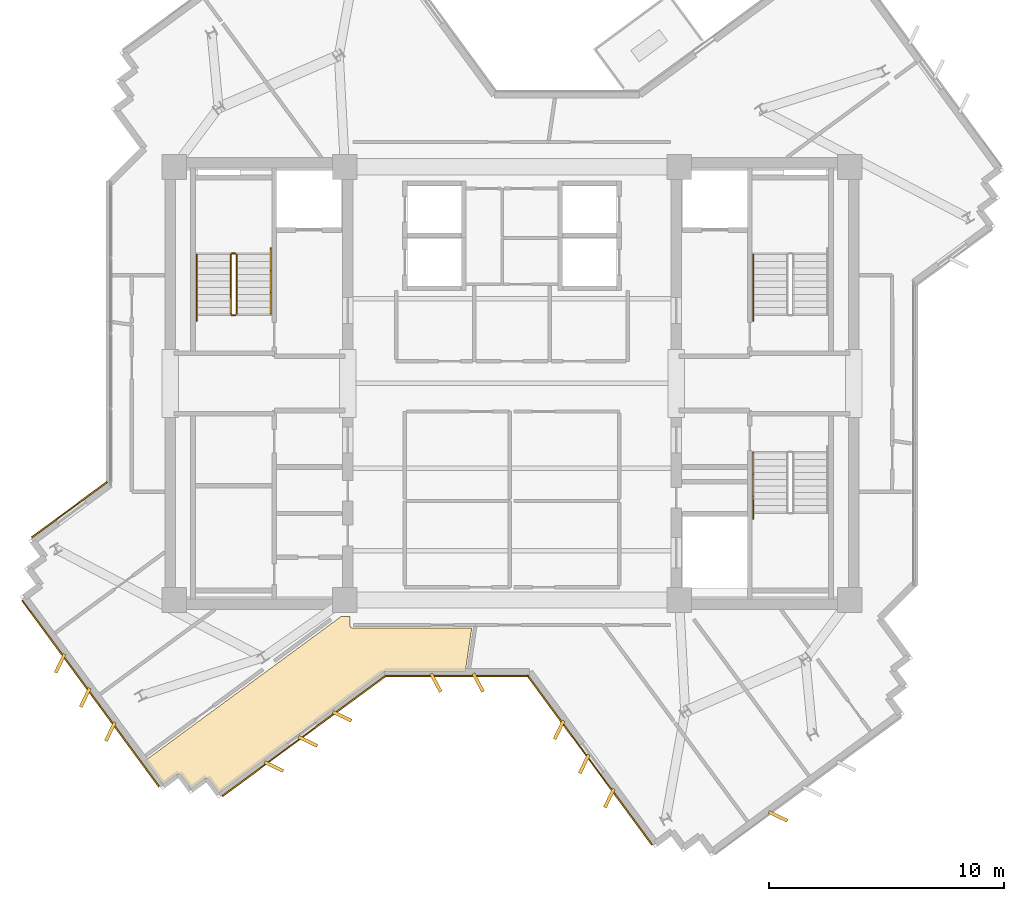
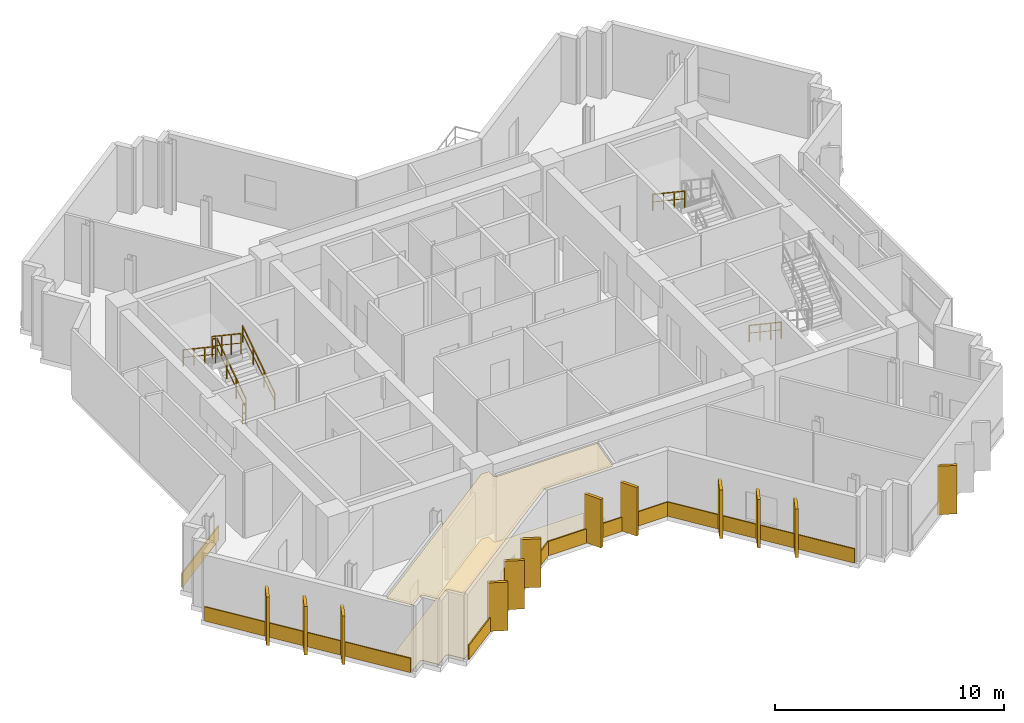
# One storey, part 11 of 13: 19 coverings, 8 railings.
"""IFC4 building model written with IfcOpenShell, lengths in metres."""

import ifcopenshell
import ifcopenshell.guid

model = None  # the IFC model being written
_history = None  # IfcOwnerHistory: only IFC2X3 demands one
_inside = {}  # id of a spatial element -> (the spatial element, [elements in it])
_under = {}  # id of a project, library or spatial element -> (it, [spatial elements below it])
_declared = {}  # id of a project -> (the project, [libraries it declares])
_typed = {}  # id of a type object -> (the type object, [elements of that type])
_made_of = {}  # id of a material, layer set ... -> (it, [elements and type objects made of it])


def new_model(schema):
    """Start an empty IFC model of exactly this schema.

    Asked for "IFC4X3", IfcOpenShell would pick the latest addendum, in which some entities
    have other attributes; the version numbers below select the first issue.
    IFC2X3 requires an IfcOwnerHistory on every rooted entity: one is made here for all.
    """
    global model, _history
    if schema == "IFC4X3":
        model = ifcopenshell.file(schema_version=(4, 3, 0, 0))
    else:
        model = ifcopenshell.file(schema=schema)
    _inside.clear()
    _under.clear()
    _declared.clear()
    _typed.clear()
    _made_of.clear()
    _history = None
    if model.schema == "IFC2X3":
        org = make("IfcOrganization", Name="unknown")
        user = make(
            "IfcPersonAndOrganization",
            ThePerson=make("IfcPerson", FamilyName="unknown"),
            TheOrganization=org,
        )
        app = make(
            "IfcApplication",
            ApplicationDeveloper=org,
            Version="unknown",
            ApplicationFullName="unknown",
            ApplicationIdentifier="unknown",
        )
        _history = make(
            "IfcOwnerHistory",
            OwningUser=user,
            OwningApplication=app,
            ChangeAction="ADDED",
            CreationDate=0,
        )
    return model


def make(cls, **values):
    """One entity of the class cls with the attributes given. An attribute that is None is left unset."""
    return model.create_entity(
        cls, **{name: value for name, value in values.items() if value is not None}
    )


def rooted(cls, **values):
    """An entity with a GlobalId (a new one), such as an element, a storey or a relation."""
    return make(cls, GlobalId=ifcopenshell.guid.new(), OwnerHistory=_history, **values)


def si_unit(unit_type, name, prefix=None):
    """IfcSIUnit, for example si_unit("LENGTHUNIT", "METRE", prefix="MILLI")."""
    return make("IfcSIUnit", UnitType=unit_type, Prefix=prefix, Name=name)


def assignment(units):
    """IfcUnitAssignment: the units of a project."""
    return None if units is None else make("IfcUnitAssignment", Units=units)


def point(xyz):
    """IfcCartesianPoint."""
    return None if xyz is None else make("IfcCartesianPoint", Coordinates=xyz)


def direction(xyz):
    """IfcDirection."""
    return None if xyz is None else make("IfcDirection", DirectionRatios=xyz)


def frame(location, z_axis=None, x_axis=None):
    """IfcAxis2Placement3D, a coordinate frame: its origin and axes. An axis left out is left unset."""
    return make(
        "IfcAxis2Placement3D",
        Location=point(location),
        Axis=direction(z_axis),
        RefDirection=direction(x_axis),
    )


def frame_2d(location, x_axis=None):
    """IfcAxis2Placement2D, a coordinate frame in the plane: its origin and x axis."""
    return make(
        "IfcAxis2Placement2D", Location=point(location), RefDirection=direction(x_axis)
    )


def origin():
    """The frame at (0, 0, 0) with its axes left unset."""
    return frame((0.0, 0.0, 0.0))


def origin_2d():
    """The frame at (0, 0) in the plane with its x axis left unset."""
    return frame_2d((0.0, 0.0))


def place(relative_to, where):
    """IfcLocalPlacement: puts the frame where relative to a parent placement (None: the world)."""
    return make(
        "IfcLocalPlacement", PlacementRelTo=relative_to, RelativePlacement=where
    )


def context(
    kind, dimensions, precision=None, world=None, true_north=None, identifier=None
):
    """IfcGeometricRepresentationContext, for example the 3D "Model" context."""
    return make(
        "IfcGeometricRepresentationContext",
        ContextIdentifier=identifier,
        ContextType=kind,
        CoordinateSpaceDimension=dimensions,
        Precision=precision,
        WorldCoordinateSystem=world,
        TrueNorth=true_north,
    )


def subcontext(parent, identifier, kind, view, scale=None):
    """IfcGeometricRepresentationSubContext, for example "Body" below "Model"."""
    return make(
        "IfcGeometricRepresentationSubContext",
        ContextIdentifier=identifier,
        ContextType=kind,
        ParentContext=parent,
        TargetScale=scale,
        TargetView=view,
    )


def project(units=None, contexts=None):
    """IfcProject with its units and contexts."""
    return rooted(
        "IfcProject",
        Name="project",
        RepresentationContexts=contexts,
        UnitsInContext=assignment(units),
    )


def spatial(cls, under=None, at=None, **own):
    """A site, building, storey or space (cls), placed at a placement, below another one or the project."""
    s = rooted(cls, ObjectPlacement=at, **own)
    if under is not None:
        _under.setdefault(under.id(), (under, []))[1].append(s)
    return s


def polyline(points):
    """IfcPolyline through the points."""
    return make("IfcPolyline", Points=[point(p) for p in points])


def profile(cls, at=None, kind="AREA", **sizes):
    """A parametric profile (cls). Its sizes go by their IFC names, for example OverallWidth=200.0."""
    return make(cls, ProfileType=kind, Position=at, **sizes)


def rectangle(**sizes):
    """IfcRectangleProfileDef."""
    return profile("IfcRectangleProfileDef", **sizes)


def outline(outer, holes=None, kind="AREA"):
    """IfcArbitraryClosedProfileDef: a profile drawn as a closed curve; with holes, ...WithVoids."""
    if holes is None:
        return make("IfcArbitraryClosedProfileDef", ProfileType=kind, OuterCurve=outer)
    return make(
        "IfcArbitraryProfileDefWithVoids",
        ProfileType=kind,
        OuterCurve=outer,
        InnerCurves=holes,
    )


def extrude(swept, where, along, depth):
    """IfcExtrudedAreaSolid: the profile swept, set in the frame where, extruded along a direction by depth."""
    return make(
        "IfcExtrudedAreaSolid",
        SweptArea=swept,
        Position=where,
        ExtrudedDirection=direction(along),
        Depth=depth,
    )


def shape(context_of_items, identifier, shape_type, items):
    """IfcShapeRepresentation: the items that make up one representation, for example the "Body"."""
    return make(
        "IfcShapeRepresentation",
        ContextOfItems=context_of_items,
        RepresentationIdentifier=identifier,
        RepresentationType=shape_type,
        Items=items,
    )


def source(mapping_origin, context_of_items, identifier, shape_type, items):
    """IfcRepresentationMap: a shape defined once, which mapped items show again and again."""
    return make(
        "IfcRepresentationMap",
        MappingOrigin=mapping_origin,
        MappedRepresentation=shape(context_of_items, identifier, shape_type, items),
    )


def transform(
    local_origin,
    x_axis=None,
    y_axis=None,
    z_axis=None,
    scale=None,
    scale2=None,
    scale3=None,
    uniform=True,
):
    """IfcCartesianTransformationOperator3D, or its non-uniform kind. x_axis, y_axis, z_axis: its Axis1, 2, 3."""
    if uniform:
        return make(
            "IfcCartesianTransformationOperator3D",
            Axis1=direction(x_axis),
            Axis2=direction(y_axis),
            LocalOrigin=point(local_origin),
            Scale=scale,
            Axis3=direction(z_axis),
        )
    return make(
        "IfcCartesianTransformationOperator3DnonUniform",
        Axis1=direction(x_axis),
        Axis2=direction(y_axis),
        LocalOrigin=point(local_origin),
        Scale=scale,
        Axis3=direction(z_axis),
        Scale2=scale2,
        Scale3=scale3,
    )


def mapped(mapping_source, mapping_target):
    """IfcMappedItem: shows the shape of a source again, moved by a transform."""
    return make(
        "IfcMappedItem", MappingSource=mapping_source, MappingTarget=mapping_target
    )


def material(Name=None, Category=None):
    """IfcMaterial."""
    return make("IfcMaterial", Name=Name, Category=Category)


def layer(
    of_material, thickness, ventilated=None, Name=None, Category=None, Priority=None
):
    """IfcMaterialLayer: one layer of a wall or slab, of a material (None: an air gap)."""
    return make(
        "IfcMaterialLayer",
        Material=of_material,
        LayerThickness=thickness,
        IsVentilated=ventilated,
        Name=Name,
        Category=Category,
        Priority=Priority,
    )


def layer_set(layers, Name=None):
    """IfcMaterialLayerSet."""
    return make("IfcMaterialLayerSet", MaterialLayers=layers, LayerSetName=Name)


def made_of(thing, what):
    """Note that an element or type object is made of a material, layer set ...; save() writes the relation."""
    if what is not None:
        _made_of.setdefault(what.id(), (what, []))[1].append(thing)
    return thing


def type_object(cls, material=None, **own):
    """A type object (cls), such as IfcWallType, which elements share."""
    return made_of(rooted(cls, **own), material)


def element(
    cls,
    number,
    at=None,
    inside=None,
    cuts=None,
    type_object=None,
    material=None,
    context=None,
    identifier="Body",
    shape_type=None,
    held_by="IfcProductDefinitionShape",
    body=None,
    shapes=None,
    **own,
):
    """One element of the class cls, such as IfcWall. Its Tag is "e" and its number.

    at: its placement. inside: the storey or other place that contains it. cuts: it is an
    opening in that element (IfcRelVoidsElement). A single representation is given by context,
    identifier, shape_type and body (its items); several are given by shapes. held_by: the class
    of the entity that holds the representations. save() writes the other relations.
    """
    e = rooted(cls, Tag="e%d" % number, ObjectPlacement=at, **own)
    if body is not None:
        shapes = [shape(context, identifier, shape_type, body)]
    if shapes is not None:
        e.Representation = make(held_by, Representations=shapes)
    if inside is not None:
        _inside.setdefault(inside.id(), (inside, []))[1].append(e)
    if cuts is not None:
        rooted(
            "IfcRelVoidsElement", RelatingBuildingElement=cuts, RelatedOpeningElement=e
        )
    if type_object is not None:
        _typed.setdefault(type_object.id(), (type_object, []))[1].append(e)
    return made_of(e, material)


def aggregate(whole, parts):
    """IfcRelAggregates: a whole, such as a stair, and the parts it consists of."""
    return rooted("IfcRelAggregates", RelatingObject=whole, RelatedObjects=parts)


def save(model, path):
    """Write the relations noted so far, then the file.

    IfcRelAggregates (storeys below a building ...), IfcRelContainedInSpatialStructure (elements
    in a storey), IfcRelDefinesByType, IfcRelAssociatesMaterial and IfcRelDeclares: one each for
    every whole, place, type object, material and project.
    """
    for whole, parts in _under.values():
        aggregate(whole, parts)
    for where, things in _inside.values():
        rooted(
            "IfcRelContainedInSpatialStructure",
            RelatedElements=things,
            RelatingStructure=where,
        )
    for kind, things in _typed.values():
        rooted("IfcRelDefinesByType", RelatedObjects=things, RelatingType=kind)
    for what, things in _made_of.values():
        rooted("IfcRelAssociatesMaterial", RelatedObjects=things, RelatingMaterial=what)
    for by, libraries in _declared.values():
        rooted("IfcRelDeclares", RelatingContext=by, RelatedDefinitions=libraries)
    model.write(path)


model = new_model("IFC4")

# Units and contexts
model_context = context("Model", 3, precision=1e-05, world=origin(), true_north=direction((0.0, 1.0)))
body_context = subcontext(model_context, "Body", "Model", "MODEL_VIEW")
ifc_project = project(units=[si_unit("LENGTHUNIT", "METRE"), si_unit("AREAUNIT", "SQUARE_METRE"), si_unit("VOLUMEUNIT", "CUBIC_METRE"), si_unit("PLANEANGLEUNIT", "RADIAN"), si_unit("MASSUNIT", "GRAM", prefix="KILO")], contexts=[model_context])

# Site, building, storey
site_placement = place(None, origin())
site = spatial("IfcSite", under=ifc_project, at=site_placement, CompositionType="ELEMENT")
building_placement = place(site_placement, origin())
building = spatial("IfcBuilding", under=site, at=building_placement, Name="Zahravan Cultural Tower", CompositionType="ELEMENT")
storey_placement = place(building_placement, frame((0.0, 0.0, 272.85009765625)))
storey = spatial("IfcBuildingStorey", under=building, at=storey_placement, Name="L65", CompositionType="ELEMENT", Elevation=272.85009765625)

# Coverings
ifc_material_1 = material(Name="Acoustic mineral fibreboard")
ifc_layer_1 = layer(ifc_material_1, 0.0400390625)
ifc_layer_set_1 = layer_set([ifc_layer_1], Name="Acoustic mineral fibreboard")
covering_type_1 = type_object("IfcCoveringType", Name="COV-CEIL-AC20", PredefinedType="CEILING", material=ifc_layer_set_1)
covering_1_placement = place(storey_placement, frame((0.0, 0.0, 3.4599609375)))
element("IfcCovering", 1, at=covering_1_placement, inside=storey, type_object=covering_type_1, Name="L65 Acoustic Suspended Ceiling", PredefinedType="CEILING", context=body_context, shape_type="SweptSolid", body=[
    extrude(outline(polyline([(21.1767578125, 9.957763671875), (21.73876953125, 10.371337890625), (21.78857421875, 10.394775390625), (21.8515625, 10.397705078125), (21.910888671875, 10.376220703125), (21.951416015625, 10.339111328125), (22.364990234375, 9.777099609375), (22.938720703125, 10.198486328125), (23.00830078125, 10.219482421875), (23.085693359375, 10.20361328125), (23.138671875, 10.159912109375), (23.553466796875, 9.59619140625), (30.571533203125, 14.756103515625), (34.0166015625, 14.760009765625), (34.28759765625, 16.60009765625), (29.22607421875, 16.600341796875), (29.1474609375, 16.637451171875), (29.1103515625, 16.716064453125), (29.110107421875, 17.10009765625), (28.7392578125, 17.10009765625), (20.423828125, 10.980712890625), (21.1767578125, 9.957763671875)])), origin(), (0.0, 0.0, 1.0), 0.0400390625),
])
ifc_material_2 = material(Name="Terrazzo flooring")
ifc_layer_2 = layer(ifc_material_2, 0.02490234375)
ifc_layer_set_2 = layer_set([ifc_layer_2], Name="Terrazzo flooring")
covering_type_2 = type_object("IfcCoveringType", Name="COV-FLR-TZ25", PredefinedType="FLOORING", material=ifc_layer_set_2)
covering_2_placement = place(storey_placement, origin())
element("IfcCovering", 2, at=covering_2_placement, inside=storey, type_object=covering_type_2, Name="L65 Polished Terrazzo Flooring", PredefinedType="FLOORING", context=body_context, shape_type="SweptSolid", body=[
    extrude(outline(polyline([(21.1767578125, 9.957763671875), (21.73876953125, 10.371337890625), (21.78857421875, 10.394775390625), (21.8515625, 10.397705078125), (21.910888671875, 10.376220703125), (21.951416015625, 10.339111328125), (22.364990234375, 9.777099609375), (22.938720703125, 10.198486328125), (23.00830078125, 10.219482421875), (23.085693359375, 10.20361328125), (23.138671875, 10.159912109375), (23.553466796875, 9.59619140625), (30.571533203125, 14.756103515625), (34.0166015625, 14.760009765625), (34.28759765625, 16.60009765625), (29.22607421875, 16.600341796875), (29.1474609375, 16.637451171875), (29.1103515625, 16.716064453125), (29.110107421875, 17.10009765625), (28.7392578125, 17.10009765625), (20.423828125, 10.980712890625), (21.1767578125, 9.957763671875)])), origin(), (0.0, 0.0, 1.0), 0.02490234375),
])

# Railings
ifc_material_3 = material(Name="Steel ASTM A572 Grade 50", Category="steel")
railing_type_1 = type_object("IfcRailingType", Name="RL-STAIR-GRD1150", PredefinedType="BALUSTRADE", material=ifc_material_3)
railing_1_placement = place(storey_placement, frame((24.300048828125, 29.949951171875, 0.1875)))
element("IfcRailing", 3, at=railing_1_placement, inside=storey, type_object=railing_type_1, Name="L65 ST-W1 stair guard 1", PredefinedType="BALUSTRADE", context=body_context, shape_type="SweptSolid", body=[
    extrude(rectangle(XDim=0.05, YDim=0.05, at=origin_2d()), frame((0.0, 0.0, 1.0751953125), z_axis=(0.0, 0.830909170722, 0.55640807867), x_axis=(-1.0, 0.0, 0.0)), (0.0, 0.0, 1.0), 3.032958984375),
    extrude(rectangle(XDim=0.032, YDim=0.032, at=origin_2d()), frame((0.0, 0.0, 0.572021484375), z_axis=(0.0, 0.830909170722, 0.55640807867), x_axis=(-1.0, 0.0, 0.0)), (0.0, 0.0, 1.0), 3.032958984375),
    extrude(rectangle(XDim=0.04, YDim=0.04, at=origin_2d()), origin(), (0.0, 0.0, 1.0), 1.10009765625),
    extrude(rectangle(XDim=0.04, YDim=0.04, at=origin_2d()), frame((0.0, 0.840087890625, 0.5625)), (0.0, 0.0, 1.0), 1.10009765625),
    extrude(rectangle(XDim=0.04, YDim=0.04, at=origin_2d()), frame((0.0, 1.679931640625, 1.125)), (0.0, 0.0, 1.0), 1.10009765625),
    extrude(rectangle(XDim=0.04, YDim=0.04, at=origin_2d()), frame((0.0, 2.52001953125, 1.6875)), (0.0, 0.0, 1.0), 1.10009765625),
])
railing_2_placement = place(storey_placement, frame((24.25, 32.52001953125, 1.875)))
element("IfcRailing", 4, at=railing_2_placement, inside=storey, type_object=railing_type_1, Name="L65 ST-W1 stair guard 2", PredefinedType="BALUSTRADE", context=body_context, shape_type="SweptSolid", body=[
    extrude(rectangle(XDim=0.05, YDim=0.05, at=origin_2d()), frame((0.0, 0.0, 1.0751953125), z_axis=(-1.0, 0.0, 0.0), x_axis=(0.0, -1.0, 0.0)), (0.0, 0.0, 1.0), 0.14990234375),
    extrude(rectangle(XDim=0.032, YDim=0.032, at=origin_2d()), frame((0.0, 0.0, 0.572021484375), z_axis=(-1.0, 0.0, 0.0), x_axis=(0.0, -1.0, 0.0)), (0.0, 0.0, 1.0), 0.14990234375),
    extrude(rectangle(XDim=0.04, YDim=0.04, at=origin_2d()), origin(), (0.0, 0.0, 1.0), 1.10009765625),
    extrude(rectangle(XDim=0.04, YDim=0.04, at=origin_2d()), frame((-0.14990234375, 0.0, 0.0)), (0.0, 0.0, 1.0), 1.10009765625),
])
railing_3_placement = place(storey_placement, frame((24.050048828125, 32.469970703125, 2.0625)))
element("IfcRailing", 5, at=railing_3_placement, inside=storey, type_object=railing_type_1, Name="L65 ST-W1 stair guard 3", PredefinedType="BALUSTRADE", context=body_context, shape_type="SweptSolid", body=[
    extrude(rectangle(XDim=0.05, YDim=0.05, at=origin_2d()), frame((0.0, 0.0, 1.0751953125), z_axis=(0.0, -0.830909170722, 0.55640807867), x_axis=(1.0, 0.0, 0.0)), (0.0, 0.0, 1.0), 3.032958984375),
    extrude(rectangle(XDim=0.032, YDim=0.032, at=origin_2d()), frame((0.0, 0.0, 0.572021484375), z_axis=(0.0, -0.830909170722, 0.55640807867), x_axis=(1.0, 0.0, 0.0)), (0.0, 0.0, 1.0), 3.032958984375),
    extrude(rectangle(XDim=0.04, YDim=0.04, at=origin_2d()), origin(), (0.0, 0.0, 1.0), 1.10009765625),
    extrude(rectangle(XDim=0.04, YDim=0.04, at=origin_2d()), frame((0.0, -0.840087890625, 0.5625)), (0.0, 0.0, 1.0), 1.10009765625),
    extrude(rectangle(XDim=0.04, YDim=0.04, at=origin_2d()), frame((0.0, -1.679931640625, 1.125)), (0.0, 0.0, 1.0), 1.10009765625),
    extrude(rectangle(XDim=0.04, YDim=0.04, at=origin_2d()), frame((0.0, -2.52001953125, 1.6875)), (0.0, 0.0, 1.0), 1.10009765625),
])
railing_4_placement = place(storey_placement, frame((24.25, 29.89990234375, 0.0)))
element("IfcRailing", 6, at=railing_4_placement, inside=storey, type_object=railing_type_1, Name="L65 ST-W1 stair guard 4", PredefinedType="BALUSTRADE", context=body_context, shape_type="SweptSolid", body=[
    extrude(rectangle(XDim=0.05, YDim=0.05, at=origin_2d()), frame((0.0, 0.0, 1.0751953125), z_axis=(-1.0, 0.0, 0.0), x_axis=(0.0, -1.0, 0.0)), (0.0, 0.0, 1.0), 0.14990234375),
    extrude(rectangle(XDim=0.032, YDim=0.032, at=origin_2d()), frame((0.0, 0.0, 0.572021484375), z_axis=(-1.0, 0.0, 0.0), x_axis=(0.0, -1.0, 0.0)), (0.0, 0.0, 1.0), 0.14990234375),
    extrude(rectangle(XDim=0.04, YDim=0.04, at=origin_2d()), origin(), (0.0, 0.0, 1.0), 1.10009765625),
    extrude(rectangle(XDim=0.04, YDim=0.04, at=origin_2d()), frame((-0.14990234375, 0.0, 0.0)), (0.0, 0.0, 1.0), 1.10009765625),
])
railing_type_2 = type_object("IfcRailingType", Name="RL-STAIR-HR900", PredefinedType="HANDRAIL", material=ifc_material_3)
railing_5_placement = place(storey_placement, frame((25.75, 29.949951171875, 0.1875)))
element("IfcRailing", 7, at=railing_5_placement, inside=storey, type_object=railing_type_2, Name="L65 ST-W1 stair handrail 1", PredefinedType="HANDRAIL", context=body_context, shape_type="SweptSolid", body=[
    extrude(rectangle(XDim=0.05, YDim=0.05, at=origin_2d()), frame((0.0, 0.0, 0.875), z_axis=(0.0, 0.830911662861, 0.55640435703), x_axis=(-1.0, 0.0, 0.0)), (0.0, 0.0, 1.0), 3.369873046875),
    extrude(rectangle(XDim=0.032, YDim=0.032, at=origin_2d()), frame((0.0, 0.0, 0.468017578125), z_axis=(0.0, 0.830911662861, 0.55640435703), x_axis=(-1.0, 0.0, 0.0)), (0.0, 0.0, 1.0), 3.369873046875),
    extrude(rectangle(XDim=0.04, YDim=0.04, at=origin_2d()), origin(), (0.0, 0.0, 1.0), 0.89990234375),
    extrude(rectangle(XDim=0.04, YDim=0.04, at=origin_2d()), frame((0.0, 0.933349609375, 0.625)), (0.0, 0.0, 1.0), 0.89990234375),
    extrude(rectangle(XDim=0.04, YDim=0.04, at=origin_2d()), frame((0.0, 1.86669921875, 1.25)), (0.0, 0.0, 1.0), 0.89990234375),
    extrude(rectangle(XDim=0.04, YDim=0.04, at=origin_2d()), frame((0.0, 2.800048828125, 1.875)), (0.0, 0.0, 1.0), 0.89990234375),
])
for number, where, name in (
    (8, (22.60009765625, 32.469970703125, 2.0625), "L65 ST-W1 stair handrail 2"),
    (9, (46.25, 32.469970703125, 2.0625), "L65 ST-E1 stair handrail 2"),
    (10, (46.25, 24.050048828125, 0.1875), "L65 ST-E2 stair handrail 1"),
):
    element("IfcRailing", number, at=place(storey_placement, frame(where)), inside=storey, type_object=railing_type_2, Name=name, PredefinedType="HANDRAIL", context=body_context, shape_type="SweptSolid", body=[
        extrude(rectangle(XDim=0.05, YDim=0.05, at=origin_2d()), frame((0.0, 0.0, 0.875), z_axis=(0.0, -0.830911662861, 0.55640435703), x_axis=(1.0, 0.0, 0.0)), (0.0, 0.0, 1.0), 3.369873046875),
        extrude(rectangle(XDim=0.032, YDim=0.032, at=origin_2d()), frame((0.0, 0.0, 0.468017578125), z_axis=(0.0, -0.830911662861, 0.55640435703), x_axis=(1.0, 0.0, 0.0)), (0.0, 0.0, 1.0), 3.369873046875),
        extrude(rectangle(XDim=0.04, YDim=0.04, at=origin_2d()), origin(), (0.0, 0.0, 1.0), 0.89990234375),
        extrude(rectangle(XDim=0.04, YDim=0.04, at=origin_2d()), frame((0.0, -0.933349609375, 0.625)), (0.0, 0.0, 1.0), 0.89990234375),
        extrude(rectangle(XDim=0.04, YDim=0.04, at=origin_2d()), frame((0.0, -1.86669921875, 1.25)), (0.0, 0.0, 1.0), 0.89990234375),
        extrude(rectangle(XDim=0.04, YDim=0.04, at=origin_2d()), frame((0.0, -2.800048828125, 1.875)), (0.0, 0.0, 1.0), 0.89990234375),
    ])

# Coverings
ifc_material_4 = material(Name="Terracotta ceramic cladding", Category="masonry")
ifc_layer_3 = layer(ifc_material_4, 0.06005859375)
ifc_layer_set_3 = layer_set([ifc_layer_3], Name="Terracotta ceramic cladding")
covering_type_3 = type_object("IfcCoveringType", Name="COV-CLAD-TC60", PredefinedType="CLADDING", material=ifc_layer_set_3)
shared_shape_1 = source(origin(), body_context, "Body", "SweptSolid", [
    extrude(rectangle(XDim=9.820068359375, YDim=0.06005859375, at=origin_2d()), origin(), (0.0, 0.0, 1.0), 0.760009765625),
])
covering_3_placement = place(storey_placement, frame((18.099609375, 13.826904296875, 0.02001953125), z_axis=(0.0, 0.0, 1.0), x_axis=(-0.592716258391, 0.80541134648, 0.0)))
element("IfcCovering", 11, at=covering_3_placement, inside=storey, type_object=covering_type_3, Name="L65 Terracotta Spandrel Cladding 30", PredefinedType="CLADDING", context=body_context, shape_type="MappedRepresentation", body=[
    mapped(shared_shape_1, transform((0.0, 0.0, 0.0), x_axis=(1.0, 0.0, 0.0), y_axis=(0.0, 1.0, 0.0), z_axis=(0.0, 0.0, 1.0), scale=1.0)),
])
shared_shape_2 = source(origin(), body_context, "Body", "SweptSolid", [
    extrude(rectangle(XDim=0.8798828125, YDim=0.139892578125, at=origin_2d()), origin(), (0.0, 0.0, 1.0), 2.580078125),
])
for number, where, z_axis, x_axis, name in (
    (12, (47.299560546875, 8.608642578125, 0.0498046875), (0.0, 0.0, 1.0), (0.901455117112, -0.43287258152, 0.0), "L65 Herringbone Terracotta Fin 07"),
    (13, (40.13671875, 9.38330078125, 0.0498046875), (0.0, 0.0, 1.0), (-0.43287258152, -0.901455117112, 0.0), "L65 Herringbone Terracotta Fin 08"),
    (14, (39.069580078125, 10.8330078125, 0.0498046875), (0.0, 0.0, 1.0), (-0.43287258152, -0.901455117112, 0.0), "L65 Herringbone Terracotta Fin 09"),
    (15, (38.002685546875, 12.282958984375, 0.0498046875), (0.0, 0.0, 1.0), (-0.43287258152, -0.901455117112, 0.0), "L65 Herringbone Terracotta Fin 10"),
    (16, (34.565185546875, 14.2900390625, 0.0498046875), (0.0, 0.0, 1.0), (0.469471562786, -0.882947592859, 0.0), "L65 Herringbone Terracotta Fin 11"),
    (17, (32.76513671875, 14.2900390625, 0.0498046875), (0.0, 0.0, 1.0), (0.469471562786, -0.882947592859, 0.0), "L65 Herringbone Terracotta Fin 12"),
    (18, (28.779541015625, 12.858642578125, 0.0498046875), (0.0, 0.0, 1.0), (0.901455117112, -0.43287258152, 0.0), "L65 Herringbone Terracotta Fin 13"),
    (19, (27.329833984375, 11.791748046875, 0.0498046875), (0.0, 0.0, 1.0), (0.901455117112, -0.43287258152, 0.0), "L65 Herringbone Terracotta Fin 14"),
    (20, (25.880126953125, 10.724853515625, 0.0498046875), (0.0, 0.0, 1.0), (0.901455117112, -0.43287258152, 0.0), "L65 Herringbone Terracotta Fin 15"),
    (21, (18.93701171875, 12.208251953125, 0.0498046875), (0.0, 0.0, 1.0), (-0.43287258152, -0.901455117112, 0.0), "L65 Herringbone Terracotta Fin 16"),
    (22, (17.8701171875, 13.657958984375, 0.0498046875), (0.0, 0.0, 1.0), (-0.43287258152, -0.901455117112, 0.0), "L65 Herringbone Terracotta Fin 17"),
    (23, (16.80322265625, 15.107666015625, 0.0498046875), (0.0, 0.0, 1.0), (-0.43287258152, -0.901455117112, 0.0), "L65 Herringbone Terracotta Fin 18"),
):
    element("IfcCovering", number, at=place(storey_placement, frame(where, z_axis=z_axis, x_axis=x_axis)), inside=storey, type_object=covering_type_3, Name=name, PredefinedType="CLADDING", context=body_context, shape_type="MappedRepresentation", body=[
        mapped(shared_shape_2, transform((0.0, 0.0, 0.0), x_axis=(1.0, 0.0, 0.0), y_axis=(0.0, 1.0, 0.0), z_axis=(0.0, 0.0, 1.0), scale=1.0)),
    ])
shared_shape_3 = source(origin(), body_context, "Body", "SweptSolid", [
    extrude(rectangle(XDim=8.62548828125, YDim=0.06005859375, at=origin_2d()), origin(), (0.0, 0.0, 1.0), 0.760009765625),
])
covering_4_placement = place(storey_placement, frame((27.160888671875, 12.021240234375, 0.02001953125), z_axis=(0.0, 0.0, 1.0), x_axis=(-0.80541134648, -0.592716258391, 0.0)))
element("IfcCovering", 24, at=covering_4_placement, inside=storey, type_object=covering_type_3, Name="L65 Terracotta Spandrel Cladding 25", PredefinedType="CLADDING", context=body_context, shape_type="MappedRepresentation", body=[
    mapped(shared_shape_3, transform((0.0, 0.0, 0.0), x_axis=(1.0, 0.0, 0.0), y_axis=(0.0, 1.0, 0.0), z_axis=(0.0, 0.0, 1.0), scale=1.0)),
])
shared_shape_4 = source(origin(), body_context, "Body", "SweptSolid", [
    extrude(rectangle(XDim=3.9794921875, YDim=0.06005859375, at=origin_2d()), origin(), (0.0, 0.0, 1.0), 0.760009765625),
])
covering_5_placement = place(storey_placement, frame((17.199462890625, 21.63818359375, 0.02001953125), z_axis=(0.0, 0.0, 1.0), x_axis=(0.80541134648, 0.592716258391, 0.0)))
element("IfcCovering", 25, at=covering_5_placement, inside=storey, type_object=covering_type_3, Name="L65 Terracotta Spandrel Cladding 35", PredefinedType="CLADDING", context=body_context, shape_type="MappedRepresentation", body=[
    mapped(shared_shape_4, transform((0.0, 0.0, 0.0), x_axis=(1.0, 0.0, 0.0), y_axis=(0.0, 1.0, 0.0), z_axis=(0.0, 0.0, 1.0), scale=1.0)),
])
shared_shape_5 = source(origin(), body_context, "Body", "SweptSolid", [
    extrude(rectangle(XDim=8.939208984375, YDim=0.06005859375, at=origin_2d()), origin(), (0.0, 0.0, 1.0), 0.760009765625),
])
covering_6_placement = place(storey_placement, frame((39.29931640625, 11.002197265625, 0.02001953125), z_axis=(0.0, 0.0, 1.0), x_axis=(-0.592716258391, 0.80541134648, 0.0)))
element("IfcCovering", 26, at=covering_6_placement, inside=storey, type_object=covering_type_3, Name="L65 Terracotta Spandrel Cladding 23", PredefinedType="CLADDING", context=body_context, shape_type="MappedRepresentation", body=[
    mapped(shared_shape_5, transform((0.0, 0.0, 0.0), x_axis=(1.0, 0.0, 0.0), y_axis=(0.0, 1.0, 0.0), z_axis=(0.0, 0.0, 1.0), scale=1.0)),
])
shared_shape_6 = source(origin(), body_context, "Body", "SweptSolid", [
    extrude(rectangle(XDim=6.076416015625, YDim=0.06005859375, at=origin_2d()), origin(), (0.0, 0.0, 1.0), 0.760009765625),
])
covering_7_placement = place(storey_placement, frame((33.6650390625, 14.574951171875, 0.02001953125), z_axis=(0.0, 0.0, 1.0), x_axis=(-1.0, 0.0, 0.0)))
element("IfcCovering", 27, at=covering_7_placement, inside=storey, type_object=covering_type_3, Name="L65 Terracotta Spandrel Cladding 24", PredefinedType="CLADDING", context=body_context, shape_type="MappedRepresentation", body=[
    mapped(shared_shape_6, transform((0.0, 0.0, 0.0), x_axis=(1.0, 0.0, 0.0), y_axis=(0.0, 1.0, 0.0), z_axis=(0.0, 0.0, 1.0), scale=1.0)),
])

save(model, "model.ifc")
